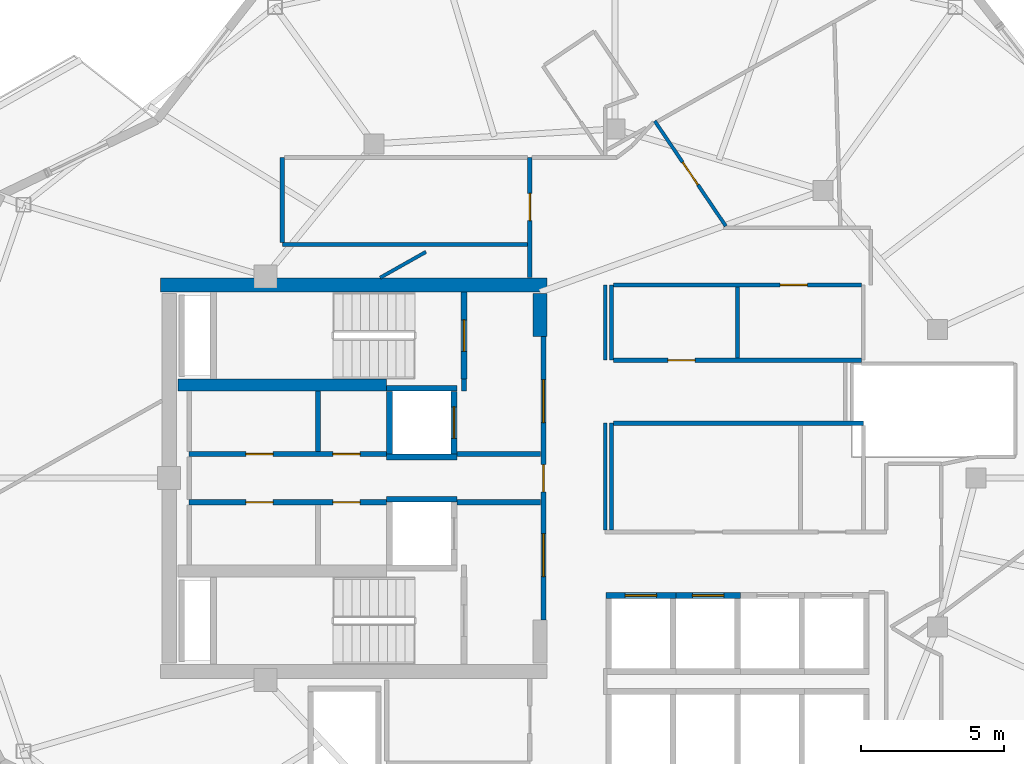
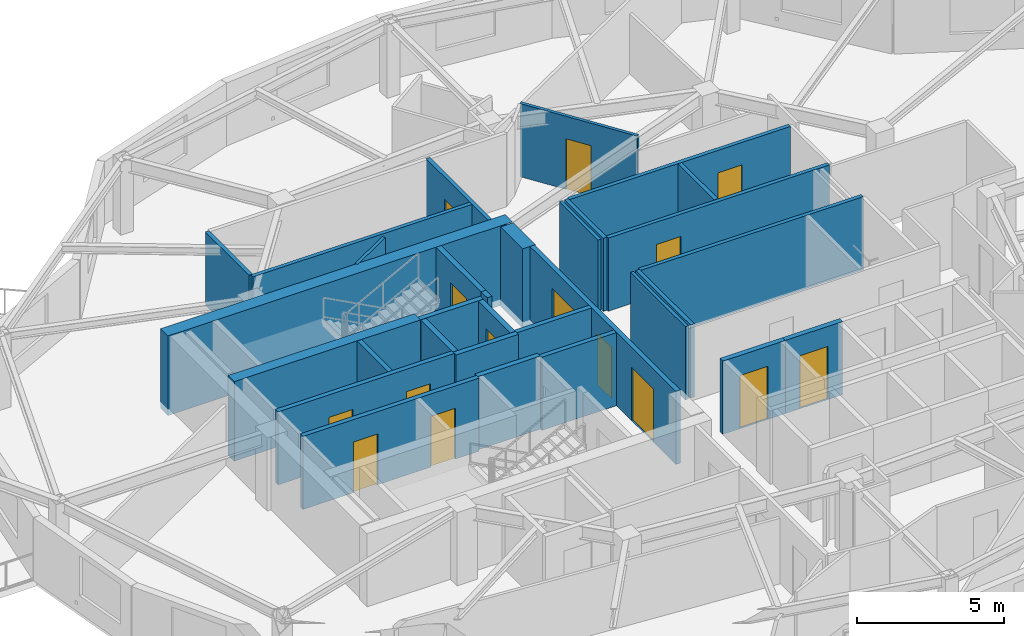
# One storey, part 4 of 13: 31 walls, 15 doors, 15 openings.
"""IFC4 building model written with IfcOpenShell, lengths in metres."""

from ifc_helpers import new_model, si_unit, direction, frame, frame_2d, origin, place, context, subcontext, project, spatial, rectangle, extrude, material, layer, layer_set, type_object, element, fill, save


model = new_model("IFC4")

# Units and contexts
model_context = context("Model", 3, precision=1e-05, world=origin(), true_north=direction((0.0, 1.0)))
body_context = subcontext(model_context, "Body", "Model", "MODEL_VIEW")
ifc_project = project(units=[si_unit("LENGTHUNIT", "METRE"), si_unit("AREAUNIT", "SQUARE_METRE"), si_unit("VOLUMEUNIT", "CUBIC_METRE"), si_unit("PLANEANGLEUNIT", "RADIAN"), si_unit("MASSUNIT", "GRAM", prefix="KILO")], contexts=[model_context])

# Site, building, storey
site_placement = place(None, origin())
site = spatial("IfcSite", under=ifc_project, at=site_placement, CompositionType="ELEMENT")
building_placement = place(site_placement, origin())
building = spatial("IfcBuilding", under=site, at=building_placement, Name="Kolvaren Gate Tower and Convention Centre", CompositionType="ELEMENT")
storey_placement = place(building_placement, frame((0.0, 0.0, 196.39990234375)))
storey = spatial("IfcBuildingStorey", under=building, at=storey_placement, Name="L51", CompositionType="ELEMENT", Elevation=196.39990234375)

# Wall
ifc_material_1 = material(Name="Autoclaved Aerated Masonry Blockwork Class 4 (4.0 MPa)", Category="masonry")
ifc_layer_1 = layer(ifc_material_1, 0.179931640625)
ifc_layer_set_1 = layer_set([ifc_layer_1], Name="Autoclaved Aerated Masonry Blockwork Class 4 (4.0 MPa)")
wall_type_1 = type_object("IfcWallType", Name="ARCH-WL-COMP-180", PredefinedType="SOLIDWALL", material=ifc_layer_set_1)
wall_1_placement = place(storey_placement, frame((24.85009765625, 30.0400390625, 0.0), z_axis=(0.0, 0.0, 1.0), x_axis=(0.0, 1.0, 0.0)))
element("IfcWall", 1, at=wall_1_placement, inside=storey, type_object=wall_type_1, Name="Interior Partition WL-L51-INT-002", PredefinedType="SOLIDWALL", context=body_context, shape_type="SweptSolid", body=[
    extrude(rectangle(XDim=0.419921875, YDim=0.179931640625, at=frame_2d((0.2099609375, 0.0))), origin(), (0.0, 0.0, 1.0), 3.030029296875),
])

# Wall, openings, doors
wall_2_placement = place(storey_placement, frame((27.6201171875, 22.050048828125, 0.0), z_axis=(0.0, 0.0, 1.0), x_axis=(0.0, 1.0, 0.0)))
wall_2 = element("IfcWall", 2, at=wall_2_placement, inside=storey, type_object=wall_type_1, Name="Interior Partition WL-L51-INT-003", PredefinedType="SOLIDWALL", context=body_context, shape_type="SweptSolid", body=[
    extrude(rectangle(XDim=9.89990234375, YDim=0.179931640625, at=frame_2d((4.949951171875, 0.0))), origin(), (0.0, 0.0, 1.0), 3.030029296875),
])
opening_1_placement = place(wall_2_placement, frame((4.47509765625, 0.0, 0.0)))
opening_1 = element("IfcOpeningElement", 3, at=opening_1_placement, cuts=wall_2, Name="Opening DR-01", PredefinedType="OPENING", context=body_context, shape_type="SweptSolid", body=[
    extrude(rectangle(XDim=0.949951171875, YDim=2.10009765625, at=frame_2d((0.47509765625, 1.050048828125))), frame((0.0, 0.099853515625, 0.0), z_axis=(0.0, -1.0, 0.0), x_axis=(1.0, 0.0, 0.0)), (0.0, 0.0, 1.0), 0.199951171875),
])
opening_2_placement = place(wall_2_placement, frame((6.889892578125, 0.0, 0.0)))
opening_2 = element("IfcOpeningElement", 4, at=opening_2_placement, cuts=wall_2, Name="Opening DL-01", PredefinedType="OPENING", context=body_context, shape_type="SweptSolid", body=[
    extrude(rectangle(XDim=1.5, YDim=2.199951171875, at=frame_2d((0.75, 1.10009765625))), frame((0.0, 0.099853515625, 0.0), z_axis=(0.0, -1.0, 0.0), x_axis=(1.0, 0.0, 0.0)), (0.0, 0.0, 1.0), 0.199951171875),
])
opening_3_placement = place(wall_2_placement, frame((1.510009765625, 0.0, 0.0)))
opening_3 = element("IfcOpeningElement", 5, at=opening_3_placement, cuts=wall_2, Name="Opening DL-01", PredefinedType="OPENING", context=body_context, shape_type="SweptSolid", body=[
    extrude(rectangle(XDim=1.5, YDim=2.199951171875, at=frame_2d((0.75, 1.10009765625))), frame((0.0, 0.099853515625, 0.0), z_axis=(0.0, -1.0, 0.0), x_axis=(1.0, 0.0, 0.0)), (0.0, 0.0, 1.0), 0.199951171875),
])
ifc_material_2 = material(Name="Painted Architectural Steelwork ASTM A500 Grade C 345 MPa", Category="steel")
door_type_1 = type_object("IfcDoorType", Name="ARCH-DR-LOBBY-1500", OperationType="DOUBLE_DOOR_SINGLE_SWING", PredefinedType="DOOR", material=ifc_material_2)
door_1_placement = place(opening_2_placement, origin())
door_1 = element("IfcDoor", 6, at=door_1_placement, inside=storey, type_object=door_type_1, Name="North Firefighting Stair and Lift Lobby Door", OperationType="DOUBLE_DOOR_SINGLE_SWING", OverallHeight=2.199951171875, OverallWidth=1.5, PredefinedType="DOOR", context=body_context, shape_type="SweptSolid", body=[
    extrude(rectangle(XDim=1.5, YDim=2.199951171875, at=frame_2d((0.75, 1.10009765625))), frame((0.0, 0.02490234375, 0.0), z_axis=(0.0, -1.0, 0.0), x_axis=(1.0, 0.0, 0.0)), (0.0, 0.0, 1.0), 0.050048828125),
])
fill(opening_2, door_1)
door_2_placement = place(opening_3_placement, origin())
door_2 = element("IfcDoor", 7, at=door_2_placement, inside=storey, type_object=door_type_1, Name="South Firefighting Stair and Lift Lobby Door", OperationType="DOUBLE_DOOR_SINGLE_SWING", OverallHeight=2.199951171875, OverallWidth=1.5, PredefinedType="DOOR", context=body_context, shape_type="SweptSolid", body=[
    extrude(rectangle(XDim=1.5, YDim=2.199951171875, at=frame_2d((0.75, 1.10009765625))), frame((0.0, 0.02490234375, 0.0), z_axis=(0.0, -1.0, 0.0), x_axis=(1.0, 0.0, 0.0)), (0.0, 0.0, 1.0), 0.050048828125),
])
fill(opening_3, door_2)
door_type_2 = type_object("IfcDoorType", Name="ARCH-DR-RISER-950", OperationType="SINGLE_SWING_RIGHT", PredefinedType="DOOR", material=ifc_material_2)
door_3_placement = place(opening_1_placement, origin())
door_3 = element("IfcDoor", 8, at=door_3_placement, inside=storey, type_object=door_type_2, Name="Central MEP Service Corridor Door", OperationType="SINGLE_SWING_LEFT", OverallHeight=2.10009765625, OverallWidth=0.949951171875, PredefinedType="DOOR", context=body_context, shape_type="SweptSolid", body=[
    extrude(rectangle(XDim=0.949951171875, YDim=2.10009765625, at=frame_2d((0.47509765625, 1.050048828125))), frame((0.0, 0.02490234375, 0.0), z_axis=(0.0, -1.0, 0.0), x_axis=(1.0, 0.0, 0.0)), (0.0, 0.0, 1.0), 0.050048828125),
])
fill(opening_1, door_3)

wall_3_placement = place(storey_placement, frame((15.25, 27.840087890625, 0.0), z_axis=(0.0, 0.0, 1.0), x_axis=(1.0, 0.0, 0.0)))
wall_3 = element("IfcWall", 9, at=wall_3_placement, inside=storey, type_object=wall_type_1, Name="Interior Partition WL-L51-INT-004", PredefinedType="SOLIDWALL", context=body_context, shape_type="SweptSolid", body=[
    extrude(rectangle(XDim=6.89990234375, YDim=0.179931640625, at=frame_2d((3.449951171875, 0.0))), origin(), (0.0, 0.0, 1.0), 3.030029296875),
])
opening_4_placement = place(wall_3_placement, frame((5.02001953125, 0.0, 0.0)))
opening_4 = element("IfcOpeningElement", 10, at=opening_4_placement, cuts=wall_3, Name="Opening DR-01", PredefinedType="OPENING", context=body_context, shape_type="SweptSolid", body=[
    extrude(rectangle(XDim=0.949951171875, YDim=2.10009765625, at=frame_2d((0.47509765625, 1.050048828125))), frame((0.0, 0.099853515625, 0.0), z_axis=(0.0, -1.0, 0.0), x_axis=(1.0, 0.0, 0.0)), (0.0, 0.0, 1.0), 0.199951171875),
])
opening_5_placement = place(wall_3_placement, frame((1.97998046875, 0.0, 0.0)))
opening_5 = element("IfcOpeningElement", 11, at=opening_5_placement, cuts=wall_3, Name="Opening DR-01", PredefinedType="OPENING", context=body_context, shape_type="SweptSolid", body=[
    extrude(rectangle(XDim=0.949951171875, YDim=2.10009765625, at=frame_2d((0.47509765625, 1.050048828125))), frame((0.0, 0.099853515625, 0.0), z_axis=(0.0, -1.0, 0.0), x_axis=(1.0, 0.0, 0.0)), (0.0, 0.0, 1.0), 0.199951171875),
])
door_4_placement = place(opening_4_placement, origin())
door_4 = element("IfcDoor", 12, at=door_4_placement, inside=storey, type_object=door_type_2, Name="Electrical Switchgear Closet Door", OperationType="SINGLE_SWING_RIGHT", OverallHeight=2.10009765625, OverallWidth=0.949951171875, PredefinedType="DOOR", context=body_context, shape_type="SweptSolid", body=[
    extrude(rectangle(XDim=0.949951171875, YDim=2.10009765625, at=frame_2d((0.47509765625, 1.050048828125))), frame((0.0, 0.02490234375, 0.0), z_axis=(0.0, -1.0, 0.0), x_axis=(1.0, 0.0, 0.0)), (0.0, 0.0, 1.0), 0.050048828125),
])
fill(opening_4, door_4)
door_5_placement = place(opening_5_placement, origin())
door_5 = element("IfcDoor", 13, at=door_5_placement, inside=storey, type_object=door_type_2, Name="Staff Powder Washroom Door", OperationType="SINGLE_SWING_RIGHT", OverallHeight=2.10009765625, OverallWidth=0.949951171875, PredefinedType="DOOR", context=body_context, shape_type="SweptSolid", body=[
    extrude(rectangle(XDim=0.949951171875, YDim=2.10009765625, at=frame_2d((0.47509765625, 1.050048828125))), frame((0.0, 0.02490234375, 0.0), z_axis=(0.0, -1.0, 0.0), x_axis=(1.0, 0.0, 0.0)), (0.0, 0.0, 1.0), 0.050048828125),
])
fill(opening_5, door_5)

# Wall
wall_4_placement = place(storey_placement, frame((24.60009765625, 27.840087890625, 0.0), z_axis=(0.0, 0.0, 1.0), x_axis=(1.0, 0.0, 0.0)))
element("IfcWall", 14, at=wall_4_placement, inside=storey, type_object=wall_type_1, Name="Interior Partition WL-L51-INT-004 (2)", PredefinedType="SOLIDWALL", context=body_context, shape_type="SweptSolid", body=[
    extrude(rectangle(XDim=2.927978515625, YDim=0.179931640625, at=frame_2d((1.4638671875, 0.0))), origin(), (0.0, 0.0, 1.0), 3.030029296875),
])

# Wall, openings, doors
wall_5_placement = place(storey_placement, frame((15.25, 26.159912109375, 0.0), z_axis=(0.0, 0.0, 1.0), x_axis=(1.0, 0.0, 0.0)))
wall_5 = element("IfcWall", 15, at=wall_5_placement, inside=storey, type_object=wall_type_1, Name="Interior Partition WL-L51-INT-005", PredefinedType="SOLIDWALL", context=body_context, shape_type="SweptSolid", body=[
    extrude(rectangle(XDim=6.89990234375, YDim=0.179931640625, at=frame_2d((3.449951171875, 0.0))), origin(), (0.0, 0.0, 1.0), 3.030029296875),
])
opening_6_placement = place(wall_5_placement, frame((5.02001953125, 0.0, 0.0)))
opening_6 = element("IfcOpeningElement", 16, at=opening_6_placement, cuts=wall_5, Name="Opening DR-01", PredefinedType="OPENING", context=body_context, shape_type="SweptSolid", body=[
    extrude(rectangle(XDim=0.949951171875, YDim=2.10009765625, at=frame_2d((0.47509765625, 1.050048828125))), frame((0.0, 0.099853515625, 0.0), z_axis=(0.0, -1.0, 0.0), x_axis=(1.0, 0.0, 0.0)), (0.0, 0.0, 1.0), 0.199951171875),
])
opening_7_placement = place(wall_5_placement, frame((1.97998046875, 0.0, 0.0)))
opening_7 = element("IfcOpeningElement", 17, at=opening_7_placement, cuts=wall_5, Name="Opening DR-01", PredefinedType="OPENING", context=body_context, shape_type="SweptSolid", body=[
    extrude(rectangle(XDim=0.949951171875, YDim=2.10009765625, at=frame_2d((0.47509765625, 1.050048828125))), frame((0.0, 0.099853515625, 0.0), z_axis=(0.0, -1.0, 0.0), x_axis=(1.0, 0.0, 0.0)), (0.0, 0.0, 1.0), 0.199951171875),
])
door_6_placement = place(opening_6_placement, origin())
door_6 = element("IfcDoor", 18, at=door_6_placement, inside=storey, type_object=door_type_2, Name="Domestic Water Meter Closet Door", OperationType="SINGLE_SWING_LEFT", OverallHeight=2.10009765625, OverallWidth=0.949951171875, PredefinedType="DOOR", context=body_context, shape_type="SweptSolid", body=[
    extrude(rectangle(XDim=0.949951171875, YDim=2.10009765625, at=frame_2d((0.47509765625, 1.050048828125))), frame((0.0, 0.02490234375, 0.0), z_axis=(0.0, -1.0, 0.0), x_axis=(1.0, 0.0, 0.0)), (0.0, 0.0, 1.0), 0.050048828125),
])
fill(opening_6, door_6)
door_7_placement = place(opening_7_placement, origin())
door_7 = element("IfcDoor", 19, at=door_7_placement, inside=storey, type_object=door_type_2, Name="Janitor Equipment Store Door", OperationType="SINGLE_SWING_LEFT", OverallHeight=2.10009765625, OverallWidth=0.949951171875, PredefinedType="DOOR", context=body_context, shape_type="SweptSolid", body=[
    extrude(rectangle(XDim=0.949951171875, YDim=2.10009765625, at=frame_2d((0.47509765625, 1.050048828125))), frame((0.0, 0.02490234375, 0.0), z_axis=(0.0, -1.0, 0.0), x_axis=(1.0, 0.0, 0.0)), (0.0, 0.0, 1.0), 0.050048828125),
])
fill(opening_7, door_7)

# Walls
wall_6_placement = place(storey_placement, frame((24.60009765625, 26.159912109375, 0.0), z_axis=(0.0, 0.0, 1.0), x_axis=(1.0, 0.0, 0.0)))
element("IfcWall", 20, at=wall_6_placement, inside=storey, type_object=wall_type_1, Name="Interior Partition WL-L51-INT-005 (2)", PredefinedType="SOLIDWALL", context=body_context, shape_type="SweptSolid", body=[
    extrude(rectangle(XDim=2.927978515625, YDim=0.179931640625, at=frame_2d((1.4638671875, 0.0))), origin(), (0.0, 0.0, 1.0), 3.030029296875),
])
wall_7_placement = place(storey_placement, frame((19.75, 27.931884765625, 0.0), z_axis=(0.0, 0.0, 1.0), x_axis=(0.0, 1.0, 0.0)))
element("IfcWall", 21, at=wall_7_placement, inside=storey, type_object=wall_type_1, Name="Interior Partition WL-L51-INT-008", PredefinedType="SOLIDWALL", context=body_context, shape_type="SweptSolid", body=[
    extrude(rectangle(XDim=2.106201171875, YDim=0.179931640625, at=frame_2d((1.05322265625, 0.0))), origin(), (0.0, 0.0, 1.0), 3.030029296875),
])

# Wall, opening, door
ifc_material_3 = material(Name="Fire-Rated Acoustic Gypsum Stud Partition", Category="gypsum")
ifc_layer_2 = layer(ifc_material_3, 0.1201171875)
ifc_layer_set_2 = layer_set([ifc_layer_2], Name="Fire-Rated Acoustic Gypsum Stud Partition")
wall_type_2 = type_object("IfcWallType", Name="ARCH-WL-PART-120", PredefinedType="PARTITIONING", material=ifc_layer_set_2)
wall_8_placement = place(storey_placement, frame((31.510009765625, 39.47802734375, 0.0), z_axis=(0.0, 0.0, 1.0), x_axis=(0.560227160028, -0.828339018257, 0.0)))
wall_8 = element("IfcWall", 22, at=wall_8_placement, inside=storey, type_object=wall_type_2, Name="Interior Partition WL-L51-INT-029", PredefinedType="PARTITIONING", context=body_context, shape_type="SweptSolid", body=[
    extrude(rectangle(XDim=4.4345703125, YDim=0.1201171875, at=frame_2d((2.21728515625, 0.0))), origin(), (0.0, 0.0, 1.0), 3.030029296875),
])
opening_8_placement = place(wall_8_placement, frame((1.7421875, 0.0, 0.0)))
opening_8 = element("IfcOpeningElement", 23, at=opening_8_placement, cuts=wall_8, Name="Opening DR-01", PredefinedType="OPENING", context=body_context, shape_type="SweptSolid", body=[
    extrude(rectangle(XDim=0.949951171875, YDim=2.10009765625, at=frame_2d((0.47509765625, 1.050048828125))), frame((0.0, 0.070068359375, 0.0), z_axis=(0.0, -1.0, 0.0), x_axis=(1.0, 0.0, 0.0)), (0.0, 0.0, 1.0), 0.14013671875),
])
door_8_placement = place(opening_8_placement, origin())
door_8 = element("IfcDoor", 24, at=door_8_placement, inside=storey, type_object=door_type_2, Name="Resident Private Workroom Door", OperationType="SINGLE_SWING_RIGHT", OverallHeight=2.10009765625, OverallWidth=0.949951171875, PredefinedType="DOOR", context=body_context, shape_type="SweptSolid", body=[
    extrude(rectangle(XDim=0.949951171875, YDim=2.10009765625, at=frame_2d((0.47509765625, 1.050048828125))), frame((0.0, 0.02490234375, 0.0), z_axis=(0.0, -1.0, 0.0), x_axis=(1.0, 0.0, 0.0)), (0.0, 0.0, 1.0), 0.050048828125),
])
fill(opening_8, door_8)

# Walls
wall_9_placement = place(storey_placement, frame((29.780029296875, 25.197021484375, 0.0), z_axis=(0.0, 0.0, 1.0), x_axis=(0.0, 1.0, 0.0)))
element("IfcWall", 25, at=wall_9_placement, inside=storey, type_object=wall_type_2, Name="Interior Partition WL-L51-INT-032", PredefinedType="PARTITIONING", context=body_context, shape_type="SweptSolid", body=[
    extrude(rectangle(XDim=3.722900390625, YDim=0.1201171875, at=frame_2d((1.861328125, 0.0))), origin(), (0.0, 0.0, 1.0), 3.030029296875),
])
wall_10_placement = place(storey_placement, frame((29.780029296875, 31.1201171875, 0.0), z_axis=(0.0, 0.0, 1.0), x_axis=(0.0, 1.0, 0.0)))
element("IfcWall", 26, at=wall_10_placement, inside=storey, type_object=wall_type_2, Name="Interior Partition WL-L51-INT-033", PredefinedType="PARTITIONING", context=body_context, shape_type="SweptSolid", body=[
    extrude(rectangle(XDim=2.6298828125, YDim=0.1201171875, at=frame_2d((1.31494140625, 0.0))), origin(), (0.0, 0.0, 1.0), 3.030029296875),
])
wall_11_placement = place(storey_placement, frame((21.918212890625, 34.001953125, 0.0), z_axis=(0.0, 0.0, 1.0), x_axis=(0.871124293407, 0.491062588104, 0.0)))
element("IfcWall", 27, at=wall_11_placement, inside=storey, type_object=wall_type_2, Name="Interior Partition WL-L51-INT-065", PredefinedType="PARTITIONING", context=body_context, shape_type="SweptSolid", body=[
    extrude(rectangle(XDim=1.83642578125, YDim=0.1201171875, at=frame_2d((0.918212890625, 0.0))), origin(), (0.0, 0.0, 1.0), 3.030029296875),
])
ifc_layer_3 = layer(ifc_material_1, 0.199951171875)
ifc_layer_set_3 = layer_set([ifc_layer_3], Name="Autoclaved Aerated Masonry Blockwork Class 4 (4.0 MPa)")
wall_type_3 = type_object("IfcWallType", Name="ARCH-WL-SHAFT-200", PredefinedType="SOLIDWALL", material=ifc_layer_set_3)
for number, where, z_axis, x_axis, name in (
    (28, (22.14990234375, 30.139892578125, 0.0), (0.0, 0.0, 1.0), (1.0, 0.0, 0.0), "Elevator FF-01 L51 Fire Shaft Wall N"),
    (29, (22.14990234375, 27.739990234375, 0.0), (0.0, 0.0, 1.0), (1.0, 0.0, 0.0), "Elevator FF-01 L51 Fire Shaft Wall S"),
):
    element("IfcWall", number, at=place(storey_placement, frame(where, z_axis=z_axis, x_axis=x_axis)), inside=storey, type_object=wall_type_3, Name=name, PredefinedType="SOLIDWALL", context=body_context, shape_type="SweptSolid", body=[
        extrude(rectangle(XDim=2.4501953125, YDim=0.199951171875, at=frame_2d((1.22509765625, 0.0))), origin(), (0.0, 0.0, 1.0), 3.030029296875),
    ])
wall_12_placement = place(storey_placement, frame((22.25, 27.85009765625, 0.0), z_axis=(0.0, 0.0, 1.0), x_axis=(0.0, 1.0, 0.0)))
element("IfcWall", 30, at=wall_12_placement, inside=storey, type_object=wall_type_3, Name="Elevator FF-01 L51 Fire Shaft Wall W", PredefinedType="SOLIDWALL", context=body_context, shape_type="SweptSolid", body=[
    extrude(rectangle(XDim=2.179931640625, YDim=0.199951171875, at=frame_2d((1.08984375, 0.0))), origin(), (0.0, 0.0, 1.0), 3.030029296875),
])

# Wall, opening, door
wall_13_placement = place(storey_placement, frame((24.5, 27.85009765625, 0.0), z_axis=(0.0, 0.0, 1.0), x_axis=(0.0, 1.0, 0.0)))
wall_13 = element("IfcWall", 31, at=wall_13_placement, inside=storey, type_object=wall_type_3, Name="Elevator FF-01 L51 Fire Shaft Wall E", PredefinedType="SOLIDWALL", context=body_context, shape_type="SweptSolid", body=[
    extrude(rectangle(XDim=2.179931640625, YDim=0.199951171875, at=frame_2d((1.08984375, 0.0))), origin(), (0.0, 0.0, 1.0), 3.030029296875),
])
opening_9_placement = place(wall_13_placement, frame((0.5400390625, 0.0, 0.0)))
opening_9 = element("IfcOpeningElement", 32, at=opening_9_placement, cuts=wall_13, Name="Opening LD", PredefinedType="OPENING", context=body_context, shape_type="SweptSolid", body=[
    extrude(rectangle(XDim=1.10009765625, YDim=2.199951171875, at=frame_2d((0.550048828125, 1.10009765625))), frame((0.0, 0.10986328125, 0.0), z_axis=(0.0, -1.0, 0.0), x_axis=(1.0, 0.0, 0.0)), (0.0, 0.0, 1.0), 0.219970703125),
])
ifc_material_4 = material(Name="Brushed Stainless Steel Grade 316L", Category="steel")
door_type_3 = type_object("IfcDoorType", Name="ARCH-DR-LIFT-1100", OperationType="SLIDING_TO_LEFT", PredefinedType="DOOR", material=ifc_material_4)
door_9_placement = place(opening_9_placement, origin())
door_9 = element("IfcDoor", 33, at=door_9_placement, inside=storey, type_object=door_type_3, Name="Elevator FF-01 L51 Sliding Landing Door", OperationType="SLIDING_TO_LEFT", OverallHeight=2.199951171875, OverallWidth=1.10009765625, PredefinedType="DOOR", context=body_context, shape_type="SweptSolid", body=[
    extrude(rectangle(XDim=1.10009765625, YDim=2.199951171875, at=frame_2d((0.550048828125, 1.10009765625))), frame((0.0, 0.02490234375, 0.0), z_axis=(0.0, -1.0, 0.0), x_axis=(1.0, 0.0, 0.0)), (0.0, 0.0, 1.0), 0.050048828125),
])
fill(opening_9, door_9)

# Wall
wall_14_placement = place(storey_placement, frame((22.14990234375, 26.260009765625, 0.0), z_axis=(0.0, 0.0, 1.0), x_axis=(1.0, 0.0, 0.0)))
element("IfcWall", 34, at=wall_14_placement, inside=storey, type_object=wall_type_3, Name="Elevator FF-02 L51 Fire Shaft Wall N", PredefinedType="SOLIDWALL", context=body_context, shape_type="SweptSolid", body=[
    extrude(rectangle(XDim=2.4501953125, YDim=0.199951171875, at=frame_2d((1.22509765625, 0.0))), origin(), (0.0, 0.0, 1.0), 3.030029296875),
])

# Wall, opening, door
wall_15_placement = place(storey_placement, frame((29.800048828125, 22.89990234375, 0.0), z_axis=(0.0, 0.0, 1.0), x_axis=(1.0, 0.0, 0.0)))
wall_15 = element("IfcWall", 35, at=wall_15_placement, inside=storey, type_object=wall_type_3, Name="Elevator PL-09 L51 Fire Shaft Wall N", PredefinedType="SOLIDWALL", context=body_context, shape_type="SweptSolid", body=[
    extrude(rectangle(XDim=2.449951171875, YDim=0.199951171875, at=frame_2d((1.22509765625, 0.0))), origin(), (0.0, 0.0, 1.0), 3.030029296875),
])
opening_10_placement = place(wall_15_placement, frame((0.675048828125, 0.0, 0.0)))
opening_10 = element("IfcOpeningElement", 36, at=opening_10_placement, cuts=wall_15, Name="Opening LD", PredefinedType="OPENING", context=body_context, shape_type="SweptSolid", body=[
    extrude(rectangle(XDim=1.10009765625, YDim=2.199951171875, at=frame_2d((0.550048828125, 1.10009765625))), frame((0.0, 0.10986328125, 0.0), z_axis=(0.0, -1.0, 0.0), x_axis=(1.0, 0.0, 0.0)), (0.0, 0.0, 1.0), 0.219970703125),
])
door_10_placement = place(opening_10_placement, origin())
door_10 = element("IfcDoor", 37, at=door_10_placement, inside=storey, type_object=door_type_3, Name="Elevator PL-09 L51 Sliding Landing Door", OperationType="SLIDING_TO_LEFT", OverallHeight=2.199951171875, OverallWidth=1.10009765625, PredefinedType="DOOR", context=body_context, shape_type="SweptSolid", body=[
    extrude(rectangle(XDim=1.10009765625, YDim=2.199951171875, at=frame_2d((0.550048828125, 1.10009765625))), frame((0.0, 0.02490234375, 0.0), z_axis=(0.0, -1.0, 0.0), x_axis=(1.0, 0.0, 0.0)), (0.0, 0.0, 1.0), 0.050048828125),
])
fill(opening_10, door_10)

wall_16_placement = place(storey_placement, frame((32.25, 22.89990234375, 0.0), z_axis=(0.0, 0.0, 1.0), x_axis=(1.0, 0.0, 0.0)))
wall_16 = element("IfcWall", 38, at=wall_16_placement, inside=storey, type_object=wall_type_3, Name="Elevator PL-10 L51 Fire Shaft Wall N", PredefinedType="SOLIDWALL", context=body_context, shape_type="SweptSolid", body=[
    extrude(rectangle(XDim=2.25, YDim=0.199951171875, at=frame_2d((1.125, 0.0))), origin(), (0.0, 0.0, 1.0), 3.030029296875),
])
opening_11_placement = place(wall_16_placement, frame((0.574951171875, 0.0, 0.0)))
opening_11 = element("IfcOpeningElement", 39, at=opening_11_placement, cuts=wall_16, Name="Opening LD", PredefinedType="OPENING", context=body_context, shape_type="SweptSolid", body=[
    extrude(rectangle(XDim=1.10009765625, YDim=2.199951171875, at=frame_2d((0.550048828125, 1.10009765625))), frame((0.0, 0.10986328125, 0.0), z_axis=(0.0, -1.0, 0.0), x_axis=(1.0, 0.0, 0.0)), (0.0, 0.0, 1.0), 0.219970703125),
])
door_11_placement = place(opening_11_placement, origin())
door_11 = element("IfcDoor", 40, at=door_11_placement, inside=storey, type_object=door_type_3, Name="Elevator PL-10 L51 Sliding Landing Door", OperationType="SLIDING_TO_LEFT", OverallHeight=2.199951171875, OverallWidth=1.10009765625, PredefinedType="DOOR", context=body_context, shape_type="SweptSolid", body=[
    extrude(rectangle(XDim=1.10009765625, YDim=2.199951171875, at=frame_2d((0.550048828125, 1.10009765625))), frame((0.0, 0.02490234375, 0.0), z_axis=(0.0, -1.0, 0.0), x_axis=(1.0, 0.0, 0.0)), (0.0, 0.0, 1.0), 0.050048828125),
])
fill(opening_11, door_11)

ifc_material_5 = material(Name="Moisture-Resistant Cement-Board Acoustic Partition", Category="gypsum")
ifc_layer_4 = layer(ifc_material_5, 0.14990234375)
ifc_layer_set_4 = layer_set([ifc_layer_4], Name="Moisture-Resistant Cement-Board Acoustic Partition")
wall_type_4 = type_object("IfcWallType", Name="ARCH-WL-WET-150", PredefinedType="PARTITIONING", material=ifc_layer_set_4)
wall_17_placement = place(storey_placement, frame((27.14990234375, 34.001953125, 0.0), z_axis=(0.0, 0.0, 1.0), x_axis=(0.0, 1.0, 0.0)))
wall_17 = element("IfcWall", 41, at=wall_17_placement, inside=storey, type_object=wall_type_4, Name="Interior Partition WL-L51-INT-012", PredefinedType="PARTITIONING", context=body_context, shape_type="SweptSolid", body=[
    extrude(rectangle(XDim=4.197998046875, YDim=0.14990234375, at=frame_2d((2.09912109375, 0.0))), origin(), (0.0, 0.0, 1.0), 3.030029296875),
])
opening_12_placement = place(wall_17_placement, frame((1.998046875, 0.0, 0.0)))
opening_12 = element("IfcOpeningElement", 42, at=opening_12_placement, cuts=wall_17, Name="Opening DR-01", PredefinedType="OPENING", context=body_context, shape_type="SweptSolid", body=[
    extrude(rectangle(XDim=0.949951171875, YDim=2.10009765625, at=frame_2d((0.47509765625, 1.050048828125))), frame((0.0, 0.0849609375, 0.0), z_axis=(0.0, -1.0, 0.0), x_axis=(1.0, 0.0, 0.0)), (0.0, 0.0, 1.0), 0.169921875),
])
door_12_placement = place(opening_12_placement, origin())
door_12 = element("IfcDoor", 43, at=door_12_placement, inside=storey, type_object=door_type_2, Name="Reclaimed North Resident Store Door", OperationType="SINGLE_SWING_LEFT", OverallHeight=2.10009765625, OverallWidth=0.949951171875, PredefinedType="DOOR", context=body_context, shape_type="SweptSolid", body=[
    extrude(rectangle(XDim=0.949951171875, YDim=2.10009765625, at=frame_2d((0.47509765625, 1.050048828125))), frame((0.0, 0.02490234375, 0.0), z_axis=(0.0, -1.0, 0.0), x_axis=(1.0, 0.0, 0.0)), (0.0, 0.0, 1.0), 0.050048828125),
])
fill(opening_12, door_12)

# Walls
wall_18_placement = place(storey_placement, frame((30.0, 25.197021484375, 0.0), z_axis=(0.0, 0.0, 1.0), x_axis=(0.0, 1.0, 0.0)))
element("IfcWall", 44, at=wall_18_placement, inside=storey, type_object=wall_type_4, Name="Interior Partition WL-L51-INT-014", PredefinedType="PARTITIONING", context=body_context, shape_type="SweptSolid", body=[
    extrude(rectangle(XDim=3.722900390625, YDim=0.14990234375, at=frame_2d((1.861328125, 0.0))), origin(), (0.0, 0.0, 1.0), 3.030029296875),
])
wall_19_placement = place(storey_placement, frame((30.0, 31.1201171875, 0.0), z_axis=(0.0, 0.0, 1.0), x_axis=(0.0, 1.0, 0.0)))
element("IfcWall", 45, at=wall_19_placement, inside=storey, type_object=wall_type_4, Name="Interior Partition WL-L51-INT-015", PredefinedType="PARTITIONING", context=body_context, shape_type="SweptSolid", body=[
    extrude(rectangle(XDim=2.6298828125, YDim=0.14990234375, at=frame_2d((1.31494140625, 0.0))), origin(), (0.0, 0.0, 1.0), 3.030029296875),
])
wall_20_placement = place(storey_placement, frame((30.076904296875, 28.919921875, 0.0), z_axis=(0.0, 0.0, 1.0), x_axis=(1.0, 0.0, 0.0)))
element("IfcWall", 46, at=wall_20_placement, inside=storey, type_object=wall_type_4, Name="Interior Partition WL-L51-INT-016", PredefinedType="PARTITIONING", context=body_context, shape_type="SweptSolid", body=[
    extrude(rectangle(XDim=8.72314453125, YDim=0.14990234375, at=frame_2d((4.361572265625, 0.0))), origin(), (0.0, 0.0, 1.0), 3.030029296875),
])

# Wall, opening, door
wall_21_placement = place(storey_placement, frame((30.076904296875, 31.1201171875, 0.0), z_axis=(0.0, 0.0, 1.0), x_axis=(1.0, 0.0, 0.0)))
wall_21 = element("IfcWall", 47, at=wall_21_placement, inside=storey, type_object=wall_type_4, Name="Interior Partition WL-L51-INT-020", PredefinedType="PARTITIONING", context=body_context, shape_type="SweptSolid", body=[
    extrude(rectangle(XDim=8.6611328125, YDim=0.14990234375, at=frame_2d((4.33056640625, 0.0))), origin(), (0.0, 0.0, 1.0), 3.030029296875),
])
opening_13_placement = place(wall_21_placement, frame((1.8916015625, 0.0, 0.0)))
opening_13 = element("IfcOpeningElement", 48, at=opening_13_placement, cuts=wall_21, Name="Opening DR-01", PredefinedType="OPENING", context=body_context, shape_type="SweptSolid", body=[
    extrude(rectangle(XDim=0.949951171875, YDim=2.10009765625, at=frame_2d((0.47509765625, 1.050048828125))), frame((0.0, 0.0849609375, 0.0), z_axis=(0.0, -1.0, 0.0), x_axis=(1.0, 0.0, 0.0)), (0.0, 0.0, 1.0), 0.169921875),
])
door_13_placement = place(opening_13_placement, origin())
door_13 = element("IfcDoor", 49, at=door_13_placement, inside=storey, type_object=door_type_2, Name="Valet and Linen Store Door", OperationType="SINGLE_SWING_LEFT", OverallHeight=2.10009765625, OverallWidth=0.949951171875, PredefinedType="DOOR", context=body_context, shape_type="SweptSolid", body=[
    extrude(rectangle(XDim=0.949951171875, YDim=2.10009765625, at=frame_2d((0.47509765625, 1.050048828125))), frame((0.0, 0.02490234375, 0.0), z_axis=(0.0, -1.0, 0.0), x_axis=(1.0, 0.0, 0.0)), (0.0, 0.0, 1.0), 0.050048828125),
])
fill(opening_13, door_13)

wall_22_placement = place(storey_placement, frame((30.076904296875, 33.75, 0.0), z_axis=(0.0, 0.0, 1.0), x_axis=(1.0, 0.0, 0.0)))
wall_22 = element("IfcWall", 50, at=wall_22_placement, inside=storey, type_object=wall_type_4, Name="Interior Partition WL-L51-INT-021", PredefinedType="PARTITIONING", context=body_context, shape_type="SweptSolid", body=[
    extrude(rectangle(XDim=8.6611328125, YDim=0.14990234375, at=frame_2d((4.33056640625, 0.0))), origin(), (0.0, 0.0, 1.0), 3.030029296875),
])
opening_14_placement = place(wall_22_placement, frame((5.81201171875, 0.0, 0.0)))
opening_14 = element("IfcOpeningElement", 51, at=opening_14_placement, cuts=wall_22, Name="Opening DR-01", PredefinedType="OPENING", context=body_context, shape_type="SweptSolid", body=[
    extrude(rectangle(XDim=0.949951171875, YDim=2.10009765625, at=frame_2d((0.47509765625, 1.050048828125))), frame((0.0, 0.0849609375, 0.0), z_axis=(0.0, -1.0, 0.0), x_axis=(1.0, 0.0, 0.0)), (0.0, 0.0, 1.0), 0.169921875),
])
door_14_placement = place(opening_14_placement, origin())
door_14 = element("IfcDoor", 52, at=door_14_placement, inside=storey, type_object=door_type_2, Name="Ice and Beverage Pantry Door", OperationType="SINGLE_SWING_RIGHT", OverallHeight=2.10009765625, OverallWidth=0.949951171875, PredefinedType="DOOR", context=body_context, shape_type="SweptSolid", body=[
    extrude(rectangle(XDim=0.949951171875, YDim=2.10009765625, at=frame_2d((0.47509765625, 1.050048828125))), frame((0.0, 0.02490234375, 0.0), z_axis=(0.0, -1.0, 0.0), x_axis=(1.0, 0.0, 0.0)), (0.0, 0.0, 1.0), 0.050048828125),
])
fill(opening_14, door_14)

# Walls
wall_23_placement = place(storey_placement, frame((34.39990234375, 31.197021484375, 0.0), z_axis=(0.0, 0.0, 1.0), x_axis=(0.0, 1.0, 0.0)))
element("IfcWall", 53, at=wall_23_placement, inside=storey, type_object=wall_type_4, Name="Interior Partition WL-L51-INT-022", PredefinedType="PARTITIONING", context=body_context, shape_type="SweptSolid", body=[
    extrude(rectangle(XDim=2.47607421875, YDim=0.14990234375, at=frame_2d((1.238037109375, 0.0))), origin(), (0.0, 0.0, 1.0), 3.030029296875),
])
wall_24_placement = place(storey_placement, frame((18.5, 35.159912109375, 0.0), z_axis=(0.0, 0.0, 1.0), x_axis=(1.0, 0.0, 0.0)))
element("IfcWall", 54, at=wall_24_placement, inside=storey, type_object=wall_type_4, Name="Interior Partition WL-L51-INT-023", PredefinedType="PARTITIONING", context=body_context, shape_type="SweptSolid", body=[
    extrude(rectangle(XDim=8.572998046875, YDim=0.14990234375, at=frame_2d((4.28662109375, 0.0))), origin(), (0.0, 0.0, 1.0), 3.030029296875),
])
wall_25_placement = place(storey_placement, frame((18.5, 35.237060546875, 0.0), z_axis=(0.0, 0.0, 1.0), x_axis=(0.0, 1.0, 0.0)))
element("IfcWall", 55, at=wall_25_placement, inside=storey, type_object=wall_type_4, Name="Interior Partition WL-L51-INT-024", PredefinedType="PARTITIONING", context=body_context, shape_type="SweptSolid", body=[
    extrude(rectangle(XDim=2.962890625, YDim=0.14990234375, at=frame_2d((1.4814453125, 0.0))), origin(), (0.0, 0.0, 1.0), 3.030029296875),
])
ifc_material_6 = material(Name="Concrete C50/60", Category="concrete")
ifc_layer_5 = layer(ifc_material_6, 0.419921875)
ifc_layer_set_5 = layer_set([ifc_layer_5], Name="Concrete C50/60")
wall_type_5 = type_object("IfcWallType", Name="STR-WL-CONV-420", PredefinedType="SHEAR", material=ifc_layer_set_5)
wall_26_placement = place(storey_placement, frame((14.85009765625, 30.25, -0.27001953125), z_axis=(0.0, 0.0, 1.0), x_axis=(1.0, 0.0, 0.0)))
element("IfcWall", 56, at=wall_26_placement, inside=storey, type_object=wall_type_5, Name="Tower L51 Offset Core Shear Wall WN", PredefinedType="SHEAR", context=body_context, shape_type="SweptSolid", body=[
    extrude(rectangle(XDim=7.2998046875, YDim=0.419921875, at=frame_2d((3.64990234375, 0.0))), origin(), (0.0, 0.0, 1.0), 3.300048828125),
])
ifc_layer_6 = layer(ifc_material_6, 0.5)
ifc_layer_set_6 = layer_set([ifc_layer_6], Name="Concrete C50/60")
wall_type_6 = type_object("IfcWallType", Name="STR-WL-CORE-500", PredefinedType="SHEAR", material=ifc_layer_set_6)
wall_27_placement = place(storey_placement, frame((14.25, 33.75, -0.27001953125), z_axis=(0.0, 0.0, 1.0), x_axis=(1.0, 0.0, 0.0)))
element("IfcWall", 57, at=wall_27_placement, inside=storey, type_object=wall_type_6, Name="Tower L51 Offset Core Shear Wall N", PredefinedType="SHEAR", context=body_context, shape_type="SweptSolid", body=[
    extrude(rectangle(XDim=13.5, YDim=0.5, at=frame_2d((6.75, 0.0))), origin(), (0.0, 0.0, 1.0), 3.300048828125),
])
wall_28_placement = place(storey_placement, frame((27.5, 31.949951171875, -0.27001953125), z_axis=(0.0, 0.0, 1.0), x_axis=(0.0, 1.0, 0.0)))
element("IfcWall", 58, at=wall_28_placement, inside=storey, type_object=wall_type_6, Name="Tower L51 Offset Core Shear Wall EN", PredefinedType="SHEAR", context=body_context, shape_type="SweptSolid", body=[
    extrude(rectangle(XDim=1.5, YDim=0.5, at=frame_2d((0.75, 0.0))), origin(), (0.0, 0.0, 1.0), 3.300048828125),
])

# Wall, opening, door
ifc_layer_7 = layer(ifc_material_6, 0.199951171875)
ifc_layer_set_7 = layer_set([ifc_layer_7], Name="Concrete C50/60")
wall_type_7 = type_object("IfcWallType", Name="STR-WL-SHAFT-200", PredefinedType="SHEAR", material=ifc_layer_set_7)
wall_29_placement = place(storey_placement, frame((24.85009765625, 30.4599609375, -0.27001953125), z_axis=(0.0, 0.0, 1.0), x_axis=(0.0, 1.0, 0.0)))
wall_29 = element("IfcWall", 59, at=wall_29_placement, inside=storey, type_object=wall_type_7, Name="Tower North Exit Stair ST-T1 L51 Structural Shear Enclosure Wall NEAR", PredefinedType="SHEAR", context=body_context, shape_type="SweptSolid", body=[
    extrude(rectangle(XDim=3.0380859375, YDim=0.199951171875, at=frame_2d((1.51904296875, 0.0))), origin(), (0.0, 0.0, 1.0), 3.300048828125),
])
opening_15_placement = place(wall_29_placement, frame((0.968994140625, 0.0, 0.27001953125)))
opening_15 = element("IfcOpeningElement", 60, at=opening_15_placement, cuts=wall_29, Name="Opening DS-01", PredefinedType="OPENING", context=body_context, shape_type="SweptSolid", body=[
    extrude(rectangle(XDim=1.10009765625, YDim=2.14990234375, at=frame_2d((0.550048828125, 1.074951171875))), frame((0.0, 0.10986328125, 0.0), z_axis=(0.0, -1.0, 0.0), x_axis=(1.0, 0.0, 0.0)), (0.0, 0.0, 1.0), 0.219970703125),
])
door_type_4 = type_object("IfcDoorType", Name="ARCH-DR-STAIR-1100", OperationType="SINGLE_SWING_LEFT", PredefinedType="DOOR", material=ifc_material_2)
door_15_placement = place(opening_15_placement, origin())
door_15 = element("IfcDoor", 61, at=door_15_placement, inside=storey, type_object=door_type_4, Name="Tower North Exit Stair ST-T1 L51 Fire Exit Stair Door", OperationType="SINGLE_SWING_LEFT", OverallHeight=2.14990234375, OverallWidth=1.10009765625, PredefinedType="DOOR", context=body_context, shape_type="SweptSolid", body=[
    extrude(rectangle(XDim=1.10009765625, YDim=2.14990234375, at=frame_2d((0.550048828125, 1.074951171875))), frame((0.0, 0.02490234375, 0.0), z_axis=(0.0, -1.0, 0.0), x_axis=(1.0, 0.0, 0.0)), (0.0, 0.0, 1.0), 0.050048828125),
])
fill(opening_15, door_15)

save(model, "model.ifc")
